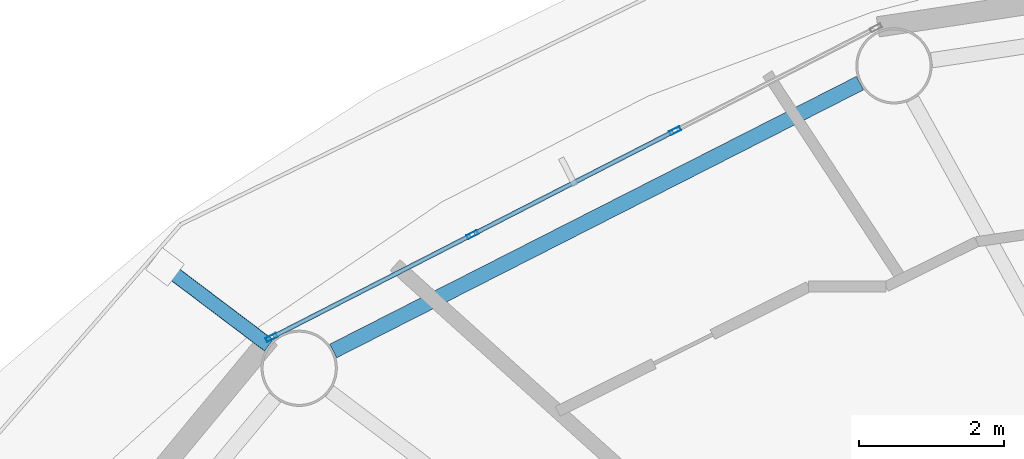
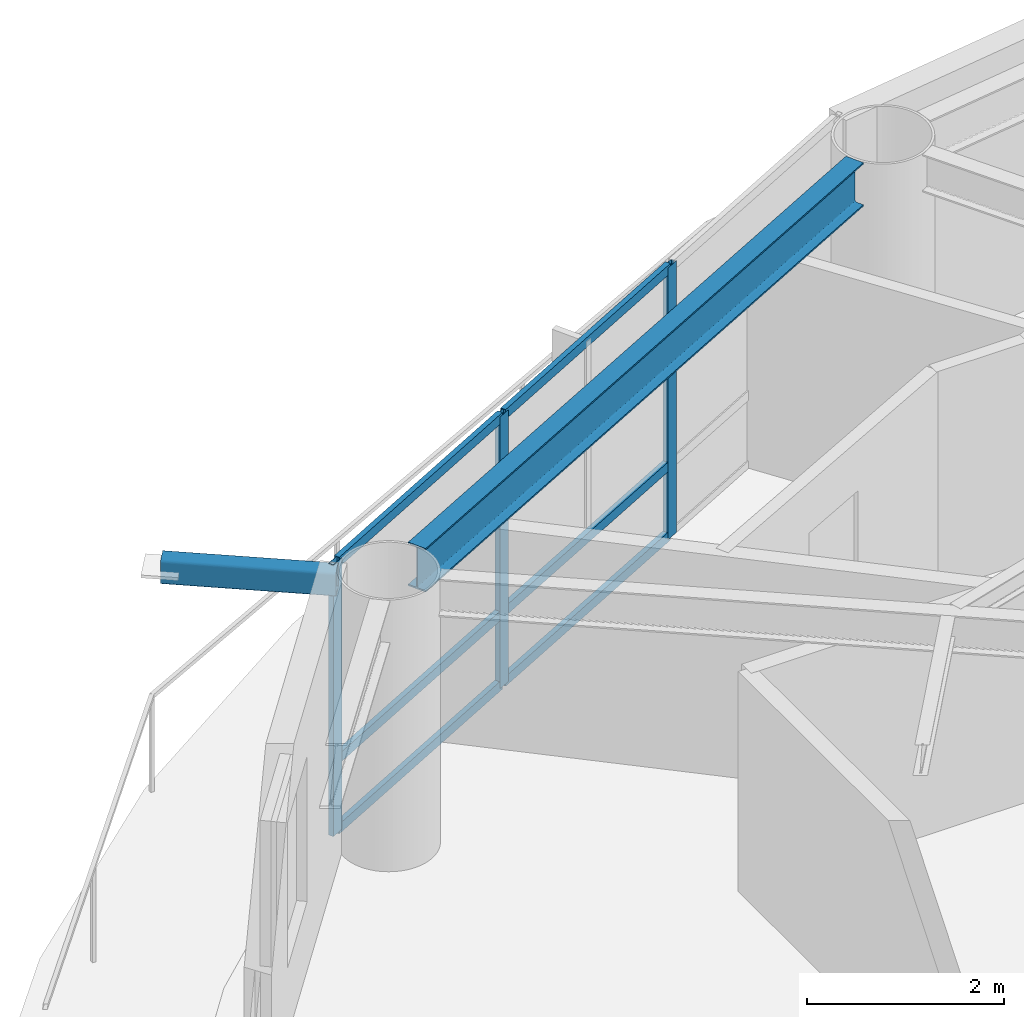
# One storey, part 8 of 23: 10 members, 1 beam, 1 element without a shape of its own.
"""IFC4 building model written with IfcOpenShell, lengths in metres."""

from ifc_helpers import new_model, si_unit, direction, frame, origin, origin_2d, place, context, subcontext, project, spatial, hollow_rectangle, i_section, extrude, material, layer, layer_set, material_profile, profile_set, type_object, element, aggregate, save


model = new_model("IFC4")

# Units and contexts
model_context = context("Model", 3, precision=1e-05, world=origin(), true_north=direction((0.0, 1.0)))
body_context = subcontext(model_context, "Body", "Model", "MODEL_VIEW")
ifc_project = project(units=[si_unit("LENGTHUNIT", "METRE"), si_unit("AREAUNIT", "SQUARE_METRE"), si_unit("VOLUMEUNIT", "CUBIC_METRE"), si_unit("PLANEANGLEUNIT", "RADIAN"), si_unit("MASSUNIT", "GRAM", prefix="KILO")], contexts=[model_context])

# Site, building, storey
site_placement = place(None, origin())
site = spatial("IfcSite", under=ifc_project, at=site_placement, CompositionType="ELEMENT")
building_placement = place(site_placement, origin())
building = spatial("IfcBuilding", under=site, at=building_placement, Name="Sarneth Arch Tower", CompositionType="ELEMENT")
storey_placement = place(building_placement, frame((0.0, 0.0, 246.0)))
storey = spatial("IfcBuildingStorey", under=building, at=storey_placement, Name="L63", CompositionType="ELEMENT", Elevation=246.0)

# Beam
ifc_material_1 = material(Name="Steel S355", Category="steel")
ifc_material_profile_1 = material_profile(ifc_material_1, i_section(OverallWidth=0.2109375, OverallDepth=0.5390625, WebThickness=0.01171875, FlangeThickness=0.018798828125, FilletRadius=0.01806640625, at=origin_2d()), Name="W530x109")
ifc_profile_set_1 = profile_set([ifc_material_profile_1], Name="Steel S355")
beam_type = type_object("IfcBeamType", Name="BM-RAD-530B", PredefinedType="BEAM", material=ifc_profile_set_1)
beam_placement = place(storey_placement, frame((37.7412109375, 59.50048828125, 3.090576171875), z_axis=(-0.891368271482, -0.453279830342, 0.0), x_axis=(0.453279830342, -0.891368271482, 0.0)))
element("IfcBeam", 1, at=beam_placement, inside=storey, type_object=beam_type, Name="L63 Perimeter spandrel beam 06", PredefinedType="BEAM", context=body_context, shape_type="SweptSolid", body=[
    extrude(i_section(OverallWidth=0.2109375, OverallDepth=0.5390625, WebThickness=0.01171875, FlangeThickness=0.018798828125, FilletRadius=0.01806640625, at=origin_2d()), origin(), (0.0, 0.0, 1.0), 8.1318359375),
])

# Curtain wall, members
ifc_material_2 = material(Name="Anodised aluminium Type AA25 and solar-control low-e laminated IGU", Category="aluminium")
ifc_layer = layer(ifc_material_2, 0.179931640625)
ifc_layer_set = layer_set([ifc_layer], Name="Anodised aluminium Type AA25 and solar-control low-e laminated IGU")
curtain_wall_type = type_object("IfcCurtainWallType", Name="CW-RES-HIGH", PredefinedType="NOTDEFINED", material=ifc_layer_set)
curtain_wall_placement = place(storey_placement, origin())
curtain_wall = element("IfcCurtainWall", 2, at=curtain_wall_placement, inside=storey, type_object=curtain_wall_type, Name="L63 Unitised curtain wall facet 06", PredefinedType="NOTDEFINED")
ifc_material_3 = material(Name="Anodised Aluminium 6063-T6", Category="aluminium")
ifc_material_profile_2 = material_profile(ifc_material_3, hollow_rectangle(XDim=0.06005859375, YDim=0.159912109375, WallThickness=0.00390625, at=origin_2d()), Name="AL-MULL-160x60x4")
ifc_profile_set_2 = profile_set([ifc_material_profile_2], Name="Anodised Aluminium 6063-T6")
member_type_1 = type_object("IfcMemberType", Name="CW-MULLION", PredefinedType="MULLION", material=ifc_profile_set_2)
member_1_placement = place(storey_placement, frame((35.197509765625, 58.844970703125, 0.0), z_axis=(0.0, 0.0, 1.0), x_axis=(0.455941901753, -0.890009540525, 0.0)))
member_1 = element("IfcMember", 3, at=member_1_placement, type_object=member_type_1, Name="CW-SYS-6 mullion 2", PredefinedType="MULLION", context=body_context, shape_type="SweptSolid", body=[
    extrude(hollow_rectangle(XDim=0.06005859375, YDim=0.159912109375, WallThickness=0.00390625, at=origin_2d()), origin(), (0.0, 0.0, 1.0), 3.360107421875),
])
member_2_placement = place(storey_placement, frame((32.407470703125, 57.415771484375, 0.0), z_axis=(0.0, 0.0, 1.0), x_axis=(0.455941901753, -0.890009540525, 0.0)))
member_2 = element("IfcMember", 4, at=member_2_placement, type_object=member_type_1, Name="CW-SYS-6 mullion 3", PredefinedType="MULLION", context=body_context, shape_type="SweptSolid", body=[
    extrude(hollow_rectangle(XDim=0.06005859375, YDim=0.159912109375, WallThickness=0.00390625, at=origin_2d()), origin(), (0.0, 0.0, 1.0), 3.360107421875),
])
member_3_placement = place(storey_placement, frame((29.644287109375, 56.000244140625, 0.0), z_axis=(0.0, 0.0, 1.0), x_axis=(0.455941901753, -0.890009540525, 0.0)))
member_3 = element("IfcMember", 5, at=member_3_placement, type_object=member_type_1, Name="CW-SYS-6 mullion 4", PredefinedType="MULLION", context=body_context, shape_type="SweptSolid", body=[
    extrude(hollow_rectangle(XDim=0.06005859375, YDim=0.159912109375, WallThickness=0.00390625, at=origin_2d()), origin(), (0.0, 0.0, 1.0), 3.360107421875),
])
ifc_material_4 = material(Name="Anodised Aluminium 6063-T6", Category="aluminium")
ifc_material_profile_3 = material_profile(ifc_material_4, hollow_rectangle(XDim=0.06005859375, YDim=0.1201171875, WallThickness=0.00390625, at=origin_2d()), Name="AL-TRAN-120x60x4")
ifc_profile_set_3 = profile_set([ifc_material_profile_3], Name="Anodised Aluminium 6063-T6")
member_type_2 = type_object("IfcMemberType", Name="CW-TRANSOM", PredefinedType="USERDEFINED", material=ifc_profile_set_3)
member_4_placement = place(storey_placement, frame((35.170654296875, 58.831298828125, 0.030029296875), z_axis=(-0.890017432405, -0.455926496286, 0.0), x_axis=(0.455926496286, -0.890017432405, 0.0)))
member_4 = element("IfcMember", 6, at=member_4_placement, type_object=member_type_2, Name="CW-SYS-6 transom 2.1", ObjectType="TRANSOM", PredefinedType="USERDEFINED", context=body_context, shape_type="SweptSolid", body=[
    extrude(hollow_rectangle(XDim=0.06005859375, YDim=0.1201171875, WallThickness=0.00390625, at=origin_2d()), origin(), (0.0, 0.0, 1.0), 3.07470703125),
])
member_5_placement = place(storey_placement, frame((35.170654296875, 58.831298828125, 0.89990234375), z_axis=(-0.890017432405, -0.455926496286, 0.0), x_axis=(0.455926496286, -0.890017432405, 0.0)))
member_5 = element("IfcMember", 7, at=member_5_placement, type_object=member_type_2, Name="CW-SYS-6 transom 2.2", ObjectType="TRANSOM", PredefinedType="USERDEFINED", context=body_context, shape_type="SweptSolid", body=[
    extrude(hollow_rectangle(XDim=0.06005859375, YDim=0.1201171875, WallThickness=0.00390625, at=origin_2d()), origin(), (0.0, 0.0, 1.0), 3.07470703125),
])
member_6_placement = place(storey_placement, frame((35.170654296875, 58.831298828125, 3.330078125), z_axis=(-0.890017432405, -0.455926496286, 0.0), x_axis=(0.455926496286, -0.890017432405, 0.0)))
member_6 = element("IfcMember", 8, at=member_6_placement, type_object=member_type_2, Name="CW-SYS-6 transom 2.3", ObjectType="TRANSOM", PredefinedType="USERDEFINED", context=body_context, shape_type="SweptSolid", body=[
    extrude(hollow_rectangle(XDim=0.06005859375, YDim=0.1201171875, WallThickness=0.00390625, at=origin_2d()), origin(), (0.0, 0.0, 1.0), 3.07470703125),
])
member_7_placement = place(storey_placement, frame((32.380859375, 57.402099609375, 0.030029296875), z_axis=(-0.890022732705, -0.455916149384, 0.0), x_axis=(0.455916149384, -0.890022732705, 0.0)))
member_7 = element("IfcMember", 9, at=member_7_placement, type_object=member_type_2, Name="CW-SYS-6 transom 3.1", ObjectType="TRANSOM", PredefinedType="USERDEFINED", context=body_context, shape_type="SweptSolid", body=[
    extrude(hollow_rectangle(XDim=0.06005859375, YDim=0.1201171875, WallThickness=0.00390625, at=origin_2d()), origin(), (0.0, 0.0, 1.0), 3.044921875),
])
member_8_placement = place(storey_placement, frame((32.380859375, 57.402099609375, 0.89990234375), z_axis=(-0.890022732705, -0.455916149384, 0.0), x_axis=(0.455916149384, -0.890022732705, 0.0)))
member_8 = element("IfcMember", 10, at=member_8_placement, type_object=member_type_2, Name="CW-SYS-6 transom 3.2", ObjectType="TRANSOM", PredefinedType="USERDEFINED", context=body_context, shape_type="SweptSolid", body=[
    extrude(hollow_rectangle(XDim=0.06005859375, YDim=0.1201171875, WallThickness=0.00390625, at=origin_2d()), origin(), (0.0, 0.0, 1.0), 3.044921875),
])
member_9_placement = place(storey_placement, frame((32.380859375, 57.402099609375, 3.330078125), z_axis=(-0.890022732705, -0.455916149384, 0.0), x_axis=(0.455916149384, -0.890022732705, 0.0)))
member_9 = element("IfcMember", 11, at=member_9_placement, type_object=member_type_2, Name="CW-SYS-6 transom 3.3", ObjectType="TRANSOM", PredefinedType="USERDEFINED", context=body_context, shape_type="SweptSolid", body=[
    extrude(hollow_rectangle(XDim=0.06005859375, YDim=0.1201171875, WallThickness=0.00390625, at=origin_2d()), origin(), (0.0, 0.0, 1.0), 3.044921875),
])
aggregate(curtain_wall, [member_1, member_2, member_3, member_4, member_5, member_6, member_7, member_8, member_9])

# Member
ifc_material_5 = material(Name="Steel S355", Category="steel")
ifc_material_profile_4 = material_profile(ifc_material_5, hollow_rectangle(XDim=0.199951171875, YDim=0.300048828125, WallThickness=0.012451171875, InnerFilletRadius=0.018798828125, OuterFilletRadius=0.03125, at=origin_2d()), Name="RHS300x200x12.5")
ifc_profile_set_4 = profile_set([ifc_material_profile_4], Name="Steel S355")
member_type_3 = type_object("IfcMemberType", Name="MEM-CANT-STRUT", PredefinedType="STRUT", material=ifc_profile_set_4)
member_10_placement = place(storey_placement, frame((29.60595703125, 55.892822265625, 3.199951171875), z_axis=(-0.797966420169, 0.602701909971, 0.0), x_axis=(-0.602701909971, -0.797966420169, 0.0)))
element("IfcMember", 12, at=member_10_placement, inside=storey, type_object=member_type_3, Name="L63 Balcony cantilever bracket 07", PredefinedType="STRUT", context=body_context, shape_type="SweptSolid", body=[
    extrude(hollow_rectangle(XDim=0.199951171875, YDim=0.300048828125, WallThickness=0.012451171875, InnerFilletRadius=0.018798828125, OuterFilletRadius=0.03125, at=origin_2d()), origin(), (0.0, 0.0, 1.0), 1.79052734375),
])

save(model, "model.ifc")
